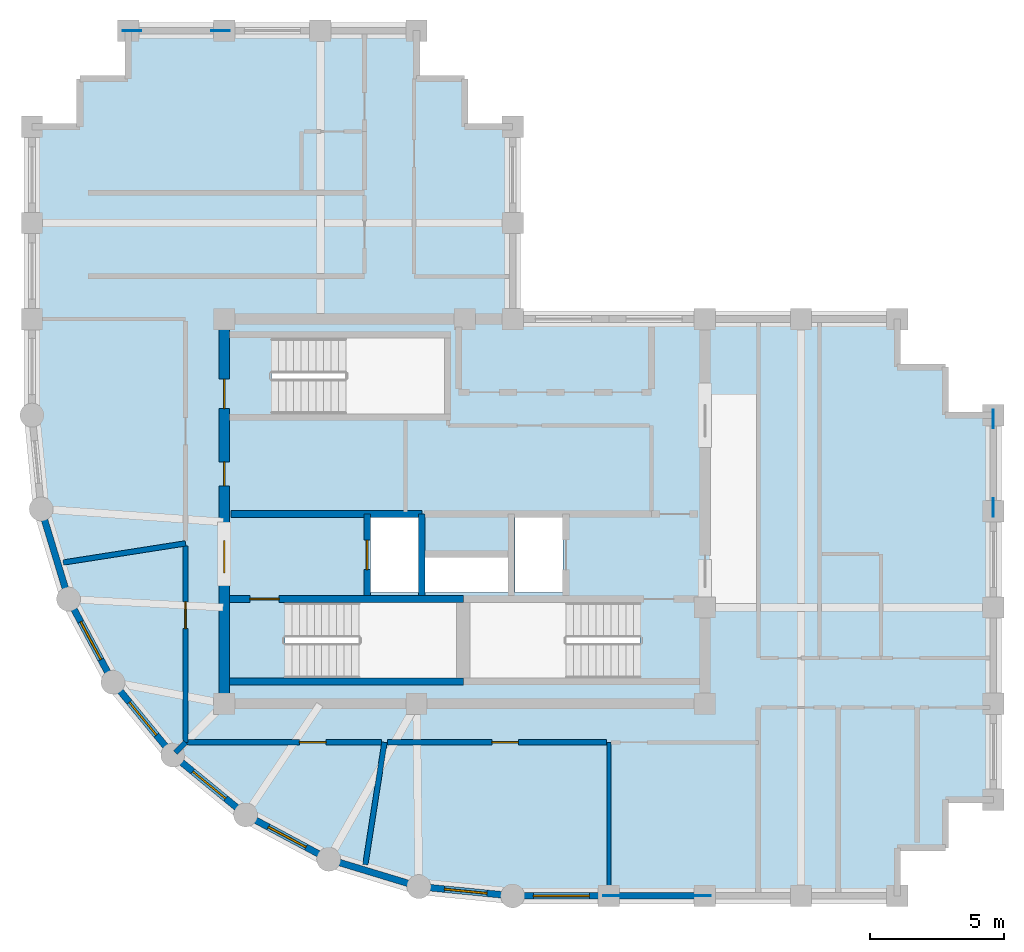
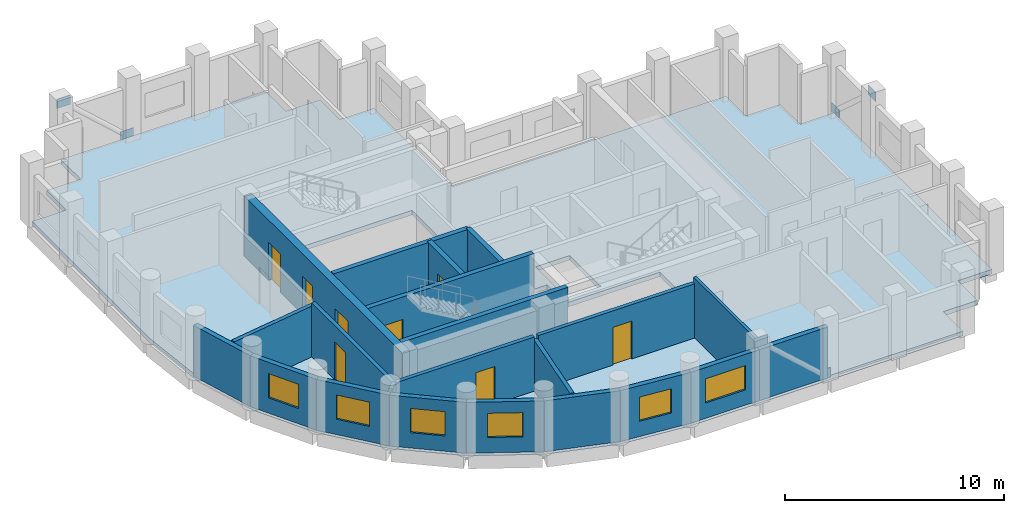
# One storey, part 2 of 6: 22 walls, 8 doors, 6 plates, 6 windows, 1 slab, 14 openings.
"""IFC4 building model written with IfcOpenShell, lengths in metres."""

from ifc_helpers import new_model, si_unit, direction, frame, frame_2d, origin, origin_2d, place, context, subcontext, project, spatial, polyline, rectangle, outline, extrude, material, layer, layer_set, type_object, element, fill, save


model = new_model("IFC4")

# Units and contexts
model_context = context("Model", 3, precision=1e-05, world=origin(), true_north=direction((0.0, 1.0)))
body_context = subcontext(model_context, "Body", "Model", "MODEL_VIEW")
ifc_project = project(units=[si_unit("LENGTHUNIT", "METRE"), si_unit("AREAUNIT", "SQUARE_METRE"), si_unit("VOLUMEUNIT", "CUBIC_METRE"), si_unit("PLANEANGLEUNIT", "RADIAN"), si_unit("MASSUNIT", "GRAM", prefix="KILO")], contexts=[model_context])

# Site, building, storey
site_placement = place(None, origin())
site = spatial("IfcSite", under=ifc_project, at=site_placement, CompositionType="ELEMENT")
building_placement = place(site_placement, origin())
building = spatial("IfcBuilding", under=site, at=building_placement, Name="Solnavia Interchange Tower", CompositionType="ELEMENT")
storey_placement = place(building_placement, frame((0.0, 0.0, 231.800048828125)))
storey = spatial("IfcBuildingStorey", under=building, at=storey_placement, Name="L58", CompositionType="ELEMENT", Elevation=231.800048828125)

# Plates
ifc_material_1 = material(Name="Steel S460", Category="steel")
ifc_layer_1 = layer(ifc_material_1, 0.030029296875)
ifc_layer_set_1 = layer_set([ifc_layer_1], Name="Steel S460")
plate_type = type_object("IfcPlateType", Name="Plate-Gusset-700x520x30", PredefinedType="USERDEFINED", material=ifc_layer_set_1)
for number, where, z_axis, x_axis, name in (
    (1, (32.260009765625, 3.60009765625, -0.080078125), (0.0, 0.0, 1.0), (-1.0, 0.0, 0.0), "PLT-L58-GP01 Perimeter brace gusset plate"),
    (2, (28.93994140625, 3.60009765625, 2.909912109375), (0.0, 0.0, 1.0), (-1.0, 0.0, 0.0), "PLT-L58-GP02 Perimeter brace gusset plate"),
    (3, (43.199951171875, 21.4599609375, -0.080078125), (0.0, 0.0, 1.0), (0.0, -1.0, 0.0), "PLT-L58-GP03 Perimeter brace gusset plate"),
    (4, (43.199951171875, 18.139892578125, 2.909912109375), (0.0, 0.0, 1.0), (0.0, -1.0, 0.0), "PLT-L58-GP04 Perimeter brace gusset plate"),
    (5, (14.260009765625, 36.0, -0.080078125), (0.0, 0.0, 1.0), (-1.0, 0.0, 0.0), "PLT-L58-GP05 Perimeter brace gusset plate"),
    (6, (10.93994140625, 36.0, 2.909912109375), (0.0, 0.0, 1.0), (-1.0, 0.0, 0.0), "PLT-L58-GP06 Perimeter brace gusset plate"),
):
    element("IfcPlate", number, at=place(storey_placement, frame(where, z_axis=z_axis, x_axis=x_axis)), inside=storey, type_object=plate_type, Name=name, ObjectType="GUSSET PLATE", PredefinedType="USERDEFINED", context=body_context, shape_type="SweptSolid", body=[
        extrude(rectangle(XDim=0.699951171875, YDim=0.030029296875, at=origin_2d()), origin(), (0.0, 0.0, 1.0), 0.52001953125),
    ])

# Slab
ifc_material_2 = material(Name="Concrete C40/50", Category="concrete")
ifc_layer_2 = layer(ifc_material_2, 0.25)
ifc_layer_set_2 = layer_set([ifc_layer_2], Name="Concrete C40/50")
slab_type = type_object("IfcSlabType", Name="Slab-Tower-250", PredefinedType="FLOOR", material=ifc_layer_set_2)
slab_placement = place(storey_placement, frame((0.0, 0.0, -0.25)))
element("IfcSlab", 7, at=slab_placement, inside=storey, type_object=slab_type, Name="SLB-L58-01 Structural floor slab", PredefinedType="FLOOR", context=body_context, shape_type="SweptSolid", body=[
    extrude(outline(polyline([(25.199951171875, 3.60009765625), (39.60009765625, 3.60009765625), (39.60009765625, 5.39990234375), (41.39990234375, 5.39990234375), (41.39990234375, 7.199951171875), (43.199951171875, 7.199951171875), (43.199951171875, 21.60009765625), (41.39990234375, 21.60009765625), (41.39990234375, 23.39990234375), (39.60009765625, 23.39990234375), (39.60009765625, 25.199951171875), (25.199951171875, 25.199951171875), (25.199951171875, 32.39990234375), (23.39990234375, 32.39990234375), (23.39990234375, 34.199951171875), (21.60009765625, 34.199951171875), (21.60009765625, 36.0), (10.800048828125, 36.0), (10.800048828125, 34.199951171875), (9.0, 34.199951171875), (9.0, 32.39990234375), (7.199951171875, 32.39990234375), (7.199951171875, 21.60009765625), (7.5458984375, 18.087890625), (8.570068359375, 14.7119140625), (10.23388671875, 11.60009765625), (12.471923828125, 8.8720703125), (15.199951171875, 6.634033203125), (18.31201171875, 4.969970703125), (21.68798828125, 3.946044921875), (25.199951171875, 3.60009765625)]), holes=[polyline([(16.675048828125, 11.75), (23.10009765625, 11.75), (23.10009765625, 14.590087890625), (16.675048828125, 14.590087890625), (16.675048828125, 11.75)]), polyline([(23.60009765625, 11.75), (29.97509765625, 11.75), (29.97509765625, 14.590087890625), (23.60009765625, 14.590087890625), (23.60009765625, 11.75)]), polyline([(16.175048828125, 21.64990234375), (22.64990234375, 21.64990234375), (22.64990234375, 24.489990234375), (16.175048828125, 24.489990234375), (16.175048828125, 21.64990234375)]), polyline([(19.8798828125, 14.9599609375), (21.679931640625, 14.9599609375), (21.679931640625, 17.780029296875), (19.8798828125, 17.780029296875), (19.8798828125, 14.9599609375)]), polyline([(25.280029296875, 14.9599609375), (27.080078125, 14.9599609375), (27.080078125, 17.780029296875), (25.280029296875, 17.780029296875), (25.280029296875, 14.9599609375)]), polyline([(21.919921875, 14.9599609375), (25.02001953125, 14.9599609375), (25.02001953125, 16.280029296875), (21.919921875, 16.280029296875), (21.919921875, 14.9599609375)])]), origin(), (0.0, 0.0, 1.0), 0.25),
])

# Walls
ifc_material_3 = material(Name="Gypsum Acoustic Twin-Stud & Mineral Wool", Category="gypsum")
ifc_layer_3 = layer(ifc_material_3, 0.199951171875)
ifc_layer_set_3 = layer_set([ifc_layer_3], Name="Gypsum Acoustic Twin-Stud & Mineral Wool")
wall_type_1 = type_object("IfcWallType", Name="Wall-ApartmentParty-200", PredefinedType="PARTITIONING", material=ifc_layer_set_3)
wall_1_placement = place(storey_placement, frame((12.949951171875, 16.800048828125, 0.0), z_axis=(0.0, 0.0, 1.0), x_axis=(-0.9879733582, -0.154624200844, 0.0)))
element("IfcWall", 8, at=wall_1_placement, inside=storey, type_object=wall_type_1, Name="PTW-L58-09 Interior partition wall", PredefinedType="PARTITIONING", context=body_context, shape_type="SweptSolid", body=[
    extrude(rectangle(XDim=4.63720703125, YDim=0.199951171875, at=frame_2d((2.318603515625, 0.0))), origin(), (0.0, 0.0, 1.0), 2.829833984375),
])
wall_2_placement = place(storey_placement, frame((12.949951171875, 9.35009765625, 0.0), z_axis=(0.0, 0.0, 1.0), x_axis=(-0.706883613527, -0.707329878435, 0.0)))
element("IfcWall", 9, at=wall_2_placement, inside=storey, type_object=wall_type_1, Name="PTW-L58-10 Interior partition wall", PredefinedType="PARTITIONING", context=body_context, shape_type="SweptSolid", body=[
    extrude(rectangle(XDim=0.547119140625, YDim=0.199951171875, at=frame_2d((0.2734375, 0.0))), origin(), (0.0, 0.0, 1.0), 3.02001953125),
])
wall_3_placement = place(storey_placement, frame((20.39990234375, 9.35009765625, 0.0), z_axis=(0.0, 0.0, 1.0), x_axis=(-0.154564772307, -0.987982657318, 0.0)))
element("IfcWall", 10, at=wall_3_placement, inside=storey, type_object=wall_type_1, Name="PTW-L58-11 Interior partition wall", PredefinedType="PARTITIONING", context=body_context, shape_type="SweptSolid", body=[
    extrude(rectangle(XDim=4.637451171875, YDim=0.199951171875, at=frame_2d((2.31884765625, 0.0))), origin(), (0.0, 0.0, 1.0), 2.829833984375),
])

# Wall, opening, door
wall_4_placement = place(storey_placement, frame((12.949951171875, 9.35009765625, 0.0), z_axis=(0.0, 0.0, 1.0), x_axis=(0.0, 1.0, 0.0)))
wall_4 = element("IfcWall", 11, at=wall_4_placement, inside=storey, type_object=wall_type_1, Name="PTW-L58-13 Interior partition wall", PredefinedType="PARTITIONING", context=body_context, shape_type="SweptSolid", body=[
    extrude(rectangle(XDim=7.345947265625, YDim=0.199951171875, at=frame_2d((3.6728515625, 0.0))), origin(), (0.0, 0.0, 1.0), 3.02001953125),
])
opening_1_placement = place(wall_4_placement, frame((4.260986328125, 0.0, 0.0)))
opening_1 = element("IfcOpeningElement", 12, at=opening_1_placement, cuts=wall_4, Name="Opening DR-07", PredefinedType="OPENING", context=body_context, shape_type="SweptSolid", body=[
    extrude(rectangle(XDim=1.0, YDim=2.10009765625, at=frame_2d((0.5, 1.050048828125))), frame((0.0, 0.10986328125, 0.0), z_axis=(0.0, -1.0, 0.0), x_axis=(1.0, 0.0, 0.0)), (0.0, 0.0, 1.0), 0.219970703125),
])
ifc_material_4 = material(Name="Timber & Acoustic Glazed Office Door", Category="wood")
door_type_1 = type_object("IfcDoorType", Name="Door-Office-1000x2100", OperationType="SINGLE_SWING_RIGHT", PredefinedType="DOOR", material=ifc_material_4)
door_1_placement = place(opening_1_placement, origin())
door_1 = element("IfcDoor", 13, at=door_1_placement, inside=storey, type_object=door_type_1, Name="DR-L58-04 Interior room door", OperationType="SINGLE_SWING_RIGHT", OverallHeight=2.10009765625, OverallWidth=1.0, PredefinedType="DOOR", context=body_context, shape_type="SweptSolid", body=[
    extrude(rectangle(XDim=1.0, YDim=2.10009765625, at=frame_2d((0.5, 1.050048828125))), frame((0.0, 0.02490234375, 0.0), z_axis=(0.0, -1.0, 0.0), x_axis=(1.0, 0.0, 0.0)), (0.0, 0.0, 1.0), 0.050048828125),
])
fill(opening_1, door_1)

wall_5_placement = place(storey_placement, frame((12.949951171875, 9.35009765625, 0.0), z_axis=(0.0, 0.0, 1.0), x_axis=(1.0, 0.0, 0.0)))
wall_5 = element("IfcWall", 14, at=wall_5_placement, inside=storey, type_object=wall_type_1, Name="PTW-L58-14 Interior partition wall", PredefinedType="PARTITIONING", context=body_context, shape_type="SweptSolid", body=[
    extrude(rectangle(XDim=7.345947265625, YDim=0.199951171875, at=frame_2d((3.6728515625, 0.0))), origin(), (0.0, 0.0, 1.0), 3.02001953125),
])
opening_2_placement = place(wall_5_placement, frame((4.260986328125, 0.0, 0.0)))
opening_2 = element("IfcOpeningElement", 15, at=opening_2_placement, cuts=wall_5, Name="Opening DR-07", PredefinedType="OPENING", context=body_context, shape_type="SweptSolid", body=[
    extrude(rectangle(XDim=1.0, YDim=2.10009765625, at=frame_2d((0.5, 1.050048828125))), frame((0.0, 0.10986328125, 0.0), z_axis=(0.0, -1.0, 0.0), x_axis=(1.0, 0.0, 0.0)), (0.0, 0.0, 1.0), 0.219970703125),
])
door_2_placement = place(opening_2_placement, origin())
door_2 = element("IfcDoor", 16, at=door_2_placement, inside=storey, type_object=door_type_1, Name="DR-L58-05 Interior room door", OperationType="SINGLE_SWING_LEFT", OverallHeight=2.10009765625, OverallWidth=1.0, PredefinedType="DOOR", context=body_context, shape_type="SweptSolid", body=[
    extrude(rectangle(XDim=1.0, YDim=2.10009765625, at=frame_2d((0.5, 1.050048828125))), frame((0.0, 0.02490234375, 0.0), z_axis=(0.0, -1.0, 0.0), x_axis=(1.0, 0.0, 0.0)), (0.0, 0.0, 1.0), 0.050048828125),
])
fill(opening_2, door_2)

wall_6_placement = place(storey_placement, frame((20.50390625, 9.35009765625, 0.0), z_axis=(0.0, 0.0, 1.0), x_axis=(1.0, 0.0, 0.0)))
wall_6 = element("IfcWall", 17, at=wall_6_placement, inside=storey, type_object=wall_type_1, Name="PTW-L58-15 Interior partition wall", PredefinedType="PARTITIONING", context=body_context, shape_type="SweptSolid", body=[
    extrude(rectangle(XDim=8.217041015625, YDim=0.199951171875, at=frame_2d((4.1083984375, 0.0))), origin(), (0.0, 0.0, 1.0), 3.02001953125),
])
opening_3_placement = place(wall_6_placement, frame((3.9140625, 0.0, 0.0)))
opening_3 = element("IfcOpeningElement", 18, at=opening_3_placement, cuts=wall_6, Name="Opening DR-07", PredefinedType="OPENING", context=body_context, shape_type="SweptSolid", body=[
    extrude(rectangle(XDim=1.0, YDim=2.10009765625, at=frame_2d((0.5, 1.050048828125))), frame((0.0, 0.10986328125, 0.0), z_axis=(0.0, -1.0, 0.0), x_axis=(1.0, 0.0, 0.0)), (0.0, 0.0, 1.0), 0.219970703125),
])
door_3_placement = place(opening_3_placement, origin())
door_3 = element("IfcDoor", 19, at=door_3_placement, inside=storey, type_object=door_type_1, Name="DR-L58-06 Interior room door", OperationType="SINGLE_SWING_RIGHT", OverallHeight=2.10009765625, OverallWidth=1.0, PredefinedType="DOOR", context=body_context, shape_type="SweptSolid", body=[
    extrude(rectangle(XDim=1.0, YDim=2.10009765625, at=frame_2d((0.5, 1.050048828125))), frame((0.0, 0.02490234375, 0.0), z_axis=(0.0, -1.0, 0.0), x_axis=(1.0, 0.0, 0.0)), (0.0, 0.0, 1.0), 0.050048828125),
])
fill(opening_3, door_3)

# Wall, opening, window
ifc_layer_4 = layer(ifc_material_2, 0.25)
ifc_layer_set_4 = layer_set([ifc_layer_4], Name="Concrete C40/50")
wall_type_2 = type_object("IfcWallType", Name="Wall-ExtSpandrel-250", PredefinedType="STANDARD", material=ifc_layer_set_4)
wall_7_placement = place(storey_placement, frame((28.800048828125, 3.60009765625, 0.0), z_axis=(0.0, 0.0, 1.0), x_axis=(-1.0, 0.0, 0.0)))
wall_7 = element("IfcWall", 20, at=wall_7_placement, inside=storey, type_object=wall_type_2, Name="EXW-L58-01 Exterior precast spandrel wall", PredefinedType="STANDARD", context=body_context, shape_type="SweptSolid", body=[
    extrude(rectangle(XDim=3.60009765625, YDim=0.25, at=frame_2d((1.800048828125, 0.0))), origin(), (0.0, 0.0, 1.0), 2.829833984375),
])
opening_4_placement = place(wall_7_placement, frame((0.72509765625, 0.0, 0.85009765625)))
opening_4 = element("IfcOpeningElement", 21, at=opening_4_placement, cuts=wall_7, Name="Opening WIN-01", PredefinedType="OPENING", context=body_context, shape_type="SweptSolid", body=[
    extrude(rectangle(XDim=2.10009765625, YDim=1.35009765625, at=frame_2d((1.050048828125, 0.675048828125))), frame((0.0, 0.135009765625, 0.0), z_axis=(0.0, -1.0, 0.0), x_axis=(1.0, 0.0, 0.0)), (0.0, 0.0, 1.0), 0.27001953125),
])
ifc_material_5 = material(Name="Thermal-Break Aluminium & Low-E Glass", Category="aluminium")
window_type_1 = type_object("IfcWindowType", Name="Window-Ribbon-2100x1350", PartitioningType="SINGLE_PANEL", PredefinedType="WINDOW", material=ifc_material_5)
window_1_placement = place(opening_4_placement, origin())
window_1 = element("IfcWindow", 22, at=window_1_placement, inside=storey, type_object=window_type_1, Name="WIN-L58-01 Facade ribbon window", OverallHeight=1.35009765625, OverallWidth=2.10009765625, PartitioningType="SINGLE_PANEL", PredefinedType="WINDOW", context=body_context, shape_type="SweptSolid", body=[
    extrude(rectangle(XDim=2.10009765625, YDim=1.35009765625, at=frame_2d((1.050048828125, 0.675048828125))), frame((0.0, 0.030029296875, 0.0), z_axis=(0.0, -1.0, 0.0), x_axis=(1.0, 0.0, 0.0)), (0.0, 0.0, 1.0), 0.06005859375),
])
fill(opening_4, window_1)

# Walls
wall_8_placement = place(storey_placement, frame((32.39990234375, 3.60009765625, 0.0), z_axis=(0.0, 0.0, 1.0), x_axis=(-1.0, 0.0, 0.0)))
element("IfcWall", 23, at=wall_8_placement, inside=storey, type_object=wall_type_2, Name="EXW-L58-02 Exterior precast spandrel wall", PredefinedType="STANDARD", context=body_context, shape_type="SweptSolid", body=[
    extrude(rectangle(XDim=3.599853515625, YDim=0.25, at=frame_2d((1.7998046875, 0.0))), origin(), (0.0, 0.0, 1.0), 2.829833984375),
])
wall_9_placement = place(storey_placement, frame((8.570068359375, 14.7119140625, 0.0), z_axis=(0.0, 0.0, 1.0), x_axis=(-0.290305086481, 0.956934144423, 0.0)))
element("IfcWall", 24, at=wall_9_placement, inside=storey, type_object=wall_type_2, Name="EXW-L58-38 Exterior precast spandrel wall", PredefinedType="STANDARD", context=body_context, shape_type="SweptSolid", body=[
    extrude(rectangle(XDim=3.52783203125, YDim=0.25, at=frame_2d((1.763916015625, 0.0))), origin(), (0.0, 0.0, 1.0), 2.829833984375),
])

# Wall, opening, window
wall_10_placement = place(storey_placement, frame((10.23388671875, 11.60009765625, 0.0), z_axis=(0.0, 0.0, 1.0), x_axis=(-0.47151087309, 0.881860247748, 0.0)))
wall_10 = element("IfcWall", 25, at=wall_10_placement, inside=storey, type_object=wall_type_2, Name="EXW-L58-39 Exterior precast spandrel wall", PredefinedType="STANDARD", context=body_context, shape_type="SweptSolid", body=[
    extrude(rectangle(XDim=3.52880859375, YDim=0.25, at=frame_2d((1.764404296875, 0.0))), origin(), (0.0, 0.0, 1.0), 2.829833984375),
])
opening_5_placement = place(wall_10_placement, frame((0.964111328125, 0.0, 0.85009765625)))
opening_5 = element("IfcOpeningElement", 26, at=opening_5_placement, cuts=wall_10, Name="Opening WIN-04", PredefinedType="OPENING", context=body_context, shape_type="SweptSolid", body=[
    extrude(rectangle(XDim=1.60009765625, YDim=1.35009765625, at=frame_2d((0.800048828125, 0.675048828125))), frame((0.0, 0.135009765625, 0.0), z_axis=(0.0, -1.0, 0.0), x_axis=(1.0, 0.0, 0.0)), (0.0, 0.0, 1.0), 0.27001953125),
])
window_type_2 = type_object("IfcWindowType", Name="Window-Drum-1600x1350", PartitioningType="SINGLE_PANEL", PredefinedType="WINDOW", material=ifc_material_5)
window_2_placement = place(opening_5_placement, origin())
window_2 = element("IfcWindow", 27, at=window_2_placement, inside=storey, type_object=window_type_2, Name="WIN-L58-39 Facade ribbon window", OverallHeight=1.35009765625, OverallWidth=1.60009765625, PartitioningType="SINGLE_PANEL", PredefinedType="WINDOW", context=body_context, shape_type="SweptSolid", body=[
    extrude(rectangle(XDim=1.60009765625, YDim=1.35009765625, at=frame_2d((0.800048828125, 0.675048828125))), frame((0.0, 0.030029296875, 0.0), z_axis=(0.0, -1.0, 0.0), x_axis=(1.0, 0.0, 0.0)), (0.0, 0.0, 1.0), 0.06005859375),
])
fill(opening_5, window_2)

wall_11_placement = place(storey_placement, frame((12.471923828125, 8.8720703125, 0.0), z_axis=(0.0, 0.0, 1.0), x_axis=(-0.634258295121, 0.773121216285, 0.0)))
wall_11 = element("IfcWall", 28, at=wall_11_placement, inside=storey, type_object=wall_type_2, Name="EXW-L58-40 Exterior precast spandrel wall", PredefinedType="STANDARD", context=body_context, shape_type="SweptSolid", body=[
    extrude(rectangle(XDim=3.528564453125, YDim=0.25, at=frame_2d((1.76416015625, 0.0))), origin(), (0.0, 0.0, 1.0), 2.829833984375),
])
opening_6_placement = place(wall_11_placement, frame((0.964111328125, 0.0, 0.85009765625)))
opening_6 = element("IfcOpeningElement", 29, at=opening_6_placement, cuts=wall_11, Name="Opening WIN-04", PredefinedType="OPENING", context=body_context, shape_type="SweptSolid", body=[
    extrude(rectangle(XDim=1.60009765625, YDim=1.35009765625, at=frame_2d((0.800048828125, 0.675048828125))), frame((0.0, 0.135009765625, 0.0), z_axis=(0.0, -1.0, 0.0), x_axis=(1.0, 0.0, 0.0)), (0.0, 0.0, 1.0), 0.27001953125),
])
window_3_placement = place(opening_6_placement, origin())
window_3 = element("IfcWindow", 30, at=window_3_placement, inside=storey, type_object=window_type_2, Name="WIN-L58-40 Facade ribbon window", OverallHeight=1.35009765625, OverallWidth=1.60009765625, PartitioningType="SINGLE_PANEL", PredefinedType="WINDOW", context=body_context, shape_type="SweptSolid", body=[
    extrude(rectangle(XDim=1.60009765625, YDim=1.35009765625, at=frame_2d((0.800048828125, 0.675048828125))), frame((0.0, 0.030029296875, 0.0), z_axis=(0.0, -1.0, 0.0), x_axis=(1.0, 0.0, 0.0)), (0.0, 0.0, 1.0), 0.06005859375),
])
fill(opening_6, window_3)

wall_12_placement = place(storey_placement, frame((15.199951171875, 6.634033203125, 0.0), z_axis=(0.0, 0.0, 1.0), x_axis=(-0.773121216285, 0.634258295121, 0.0)))
wall_12 = element("IfcWall", 31, at=wall_12_placement, inside=storey, type_object=wall_type_2, Name="EXW-L58-41 Exterior precast spandrel wall", PredefinedType="STANDARD", context=body_context, shape_type="SweptSolid", body=[
    extrude(rectangle(XDim=3.528564453125, YDim=0.25, at=frame_2d((1.76416015625, 0.0))), origin(), (0.0, 0.0, 1.0), 2.829833984375),
])
opening_7_placement = place(wall_12_placement, frame((0.964111328125, 0.0, 0.85009765625)))
opening_7 = element("IfcOpeningElement", 32, at=opening_7_placement, cuts=wall_12, Name="Opening WIN-04", PredefinedType="OPENING", context=body_context, shape_type="SweptSolid", body=[
    extrude(rectangle(XDim=1.60009765625, YDim=1.35009765625, at=frame_2d((0.800048828125, 0.675048828125))), frame((0.0, 0.135009765625, 0.0), z_axis=(0.0, -1.0, 0.0), x_axis=(1.0, 0.0, 0.0)), (0.0, 0.0, 1.0), 0.27001953125),
])
window_4_placement = place(opening_7_placement, origin())
window_4 = element("IfcWindow", 33, at=window_4_placement, inside=storey, type_object=window_type_2, Name="WIN-L58-41 Facade ribbon window", OverallHeight=1.35009765625, OverallWidth=1.60009765625, PartitioningType="SINGLE_PANEL", PredefinedType="WINDOW", context=body_context, shape_type="SweptSolid", body=[
    extrude(rectangle(XDim=1.60009765625, YDim=1.35009765625, at=frame_2d((0.800048828125, 0.675048828125))), frame((0.0, 0.030029296875, 0.0), z_axis=(0.0, -1.0, 0.0), x_axis=(1.0, 0.0, 0.0)), (0.0, 0.0, 1.0), 0.06005859375),
])
fill(opening_7, window_4)

wall_13_placement = place(storey_placement, frame((18.31201171875, 4.969970703125, 0.0), z_axis=(0.0, 0.0, 1.0), x_axis=(-0.881846862014, 0.471535907389, 0.0)))
wall_13 = element("IfcWall", 34, at=wall_13_placement, inside=storey, type_object=wall_type_2, Name="EXW-L58-42 Exterior precast spandrel wall", PredefinedType="STANDARD", context=body_context, shape_type="SweptSolid", body=[
    extrude(rectangle(XDim=3.529052734375, YDim=0.25, at=frame_2d((1.7646484375, 0.0))), origin(), (0.0, 0.0, 1.0), 2.829833984375),
])
opening_8_placement = place(wall_13_placement, frame((0.964111328125, 0.0, 0.85009765625)))
opening_8 = element("IfcOpeningElement", 35, at=opening_8_placement, cuts=wall_13, Name="Opening WIN-04", PredefinedType="OPENING", context=body_context, shape_type="SweptSolid", body=[
    extrude(rectangle(XDim=1.60009765625, YDim=1.35009765625, at=frame_2d((0.800048828125, 0.675048828125))), frame((0.0, 0.135009765625, 0.0), z_axis=(0.0, -1.0, 0.0), x_axis=(1.0, 0.0, 0.0)), (0.0, 0.0, 1.0), 0.27001953125),
])
window_5_placement = place(opening_8_placement, origin())
window_5 = element("IfcWindow", 36, at=window_5_placement, inside=storey, type_object=window_type_2, Name="WIN-L58-42 Facade ribbon window", OverallHeight=1.35009765625, OverallWidth=1.60009765625, PartitioningType="SINGLE_PANEL", PredefinedType="WINDOW", context=body_context, shape_type="SweptSolid", body=[
    extrude(rectangle(XDim=1.60009765625, YDim=1.35009765625, at=frame_2d((0.800048828125, 0.675048828125))), frame((0.0, 0.030029296875, 0.0), z_axis=(0.0, -1.0, 0.0), x_axis=(1.0, 0.0, 0.0)), (0.0, 0.0, 1.0), 0.06005859375),
])
fill(opening_8, window_5)

# Wall
wall_14_placement = place(storey_placement, frame((21.68798828125, 3.946044921875, 0.0), z_axis=(0.0, 0.0, 1.0), x_axis=(-0.956953367403, 0.290241714123, 0.0)))
element("IfcWall", 37, at=wall_14_placement, inside=storey, type_object=wall_type_2, Name="EXW-L58-43 Exterior precast spandrel wall", PredefinedType="STANDARD", context=body_context, shape_type="SweptSolid", body=[
    extrude(rectangle(XDim=3.52783203125, YDim=0.25, at=frame_2d((1.763916015625, 0.0))), origin(), (0.0, 0.0, 1.0), 2.829833984375),
])

# Wall, opening, window
wall_15_placement = place(storey_placement, frame((25.199951171875, 3.60009765625, 0.0), z_axis=(0.0, 0.0, 1.0), x_axis=(-0.995183369056, 0.098030923459, 0.0)))
wall_15 = element("IfcWall", 38, at=wall_15_placement, inside=storey, type_object=wall_type_2, Name="EXW-L58-44 Exterior precast spandrel wall", PredefinedType="STANDARD", context=body_context, shape_type="SweptSolid", body=[
    extrude(rectangle(XDim=3.529052734375, YDim=0.25, at=frame_2d((1.7646484375, 0.0))), origin(), (0.0, 0.0, 1.0), 2.829833984375),
])
opening_9_placement = place(wall_15_placement, frame((0.965087890625, 0.0, 0.85009765625)))
opening_9 = element("IfcOpeningElement", 39, at=opening_9_placement, cuts=wall_15, Name="Opening WIN-04", PredefinedType="OPENING", context=body_context, shape_type="SweptSolid", body=[
    extrude(rectangle(XDim=1.60009765625, YDim=1.35009765625, at=frame_2d((0.800048828125, 0.675048828125))), frame((0.0, 0.135009765625, 0.0), z_axis=(0.0, -1.0, 0.0), x_axis=(1.0, 0.0, 0.0)), (0.0, 0.0, 1.0), 0.27001953125),
])
window_6_placement = place(opening_9_placement, origin())
window_6 = element("IfcWindow", 40, at=window_6_placement, inside=storey, type_object=window_type_2, Name="WIN-L58-44 Facade ribbon window", OverallHeight=1.35009765625, OverallWidth=1.60009765625, PartitioningType="SINGLE_PANEL", PredefinedType="WINDOW", context=body_context, shape_type="SweptSolid", body=[
    extrude(rectangle(XDim=1.60009765625, YDim=1.35009765625, at=frame_2d((0.800048828125, 0.675048828125))), frame((0.0, 0.030029296875, 0.0), z_axis=(0.0, -1.0, 0.0), x_axis=(1.0, 0.0, 0.0)), (0.0, 0.0, 1.0), 0.06005859375),
])
fill(opening_9, window_6)

# Walls
ifc_material_6 = material(Name="Gypsum Plasterboard & Steel Stud", Category="steel")
ifc_layer_5 = layer(ifc_material_6, 0.14990234375)
ifc_layer_set_5 = layer_set([ifc_layer_5], Name="Gypsum Plasterboard & Steel Stud")
wall_type_3 = type_object("IfcWallType", Name="Wall-Partition-150", PredefinedType="PARTITIONING", material=ifc_layer_set_5)
wall_16_placement = place(storey_placement, frame((28.800048828125, 9.35009765625, 0.0), z_axis=(0.0, 0.0, 1.0), x_axis=(0.0, -1.0, 0.0)))
element("IfcWall", 41, at=wall_16_placement, inside=storey, type_object=wall_type_3, Name="PTW-L58-08 Interior partition wall", PredefinedType="PARTITIONING", context=body_context, shape_type="SweptSolid", body=[
    extrude(rectangle(XDim=5.62109375, YDim=0.14990234375, at=frame_2d((2.810546875, 0.0))), origin(), (0.0, 0.0, 1.0), 3.3349609375),
])
ifc_layer_6 = layer(ifc_material_2, 0.25)
ifc_layer_set_6 = layer_set([ifc_layer_6], Name="Concrete C40/50")
wall_type_4 = type_object("IfcWallType", Name="Wall-ShaftCore-250", PredefinedType="SHEAR", material=ifc_layer_set_6)
wall_17_placement = place(storey_placement, frame((14.60009765625, 11.625, 0.0), z_axis=(0.0, 0.0, 1.0), x_axis=(1.0, 0.0, 0.0)))
element("IfcWall", 42, at=wall_17_placement, inside=storey, type_object=wall_type_4, Name="SHW-L58-ST1S Core shear wall", PredefinedType="SHEAR", context=body_context, shape_type="SweptSolid", body=[
    extrude(rectangle(XDim=8.75, YDim=0.25, at=frame_2d((4.375, 0.0))), origin(), (0.0, 0.0, 1.0), 3.349853515625),
])

# Wall, opening, door
wall_18_placement = place(storey_placement, frame((14.60009765625, 14.715087890625, 0.0), z_axis=(0.0, 0.0, 1.0), x_axis=(1.0, 0.0, 0.0)))
wall_18 = element("IfcWall", 43, at=wall_18_placement, inside=storey, type_object=wall_type_4, Name="SHW-L58-ST1N Core shear wall", PredefinedType="SHEAR", context=body_context, shape_type="SweptSolid", body=[
    extrude(rectangle(XDim=8.75, YDim=0.25, at=frame_2d((4.375, 0.0))), origin(), (0.0, 0.0, 1.0), 3.349853515625),
])
opening_10_placement = place(wall_18_placement, frame((0.7548828125, 0.0, 0.0)))
opening_10 = element("IfcOpeningElement", 44, at=opening_10_placement, cuts=wall_18, Name="Opening DR-01", PredefinedType="OPENING", context=body_context, shape_type="SweptSolid", body=[
    extrude(rectangle(XDim=1.10009765625, YDim=2.10009765625, at=frame_2d((0.550048828125, 1.050048828125))), frame((0.0, 0.135009765625, 0.0), z_axis=(0.0, -1.0, 0.0), x_axis=(1.0, 0.0, 0.0)), (0.0, 0.0, 1.0), 0.27001953125),
])
ifc_material_7 = material(Name="Steel Fire-Rated Leaf & Frame", Category="steel")
door_type_2 = type_object("IfcDoorType", Name="Door-StairFire-1100x2100", OperationType="SINGLE_SWING_LEFT", PredefinedType="DOOR", material=ifc_material_7)
door_4_placement = place(opening_10_placement, origin())
door_4 = element("IfcDoor", 45, at=door_4_placement, inside=storey, type_object=door_type_2, Name="DR-L58-ST1 Core fire door", OperationType="SINGLE_SWING_LEFT", OverallHeight=2.10009765625, OverallWidth=1.10009765625, PredefinedType="DOOR", context=body_context, shape_type="SweptSolid", body=[
    extrude(rectangle(XDim=1.10009765625, YDim=2.10009765625, at=frame_2d((0.550048828125, 1.050048828125))), frame((0.0, 0.02490234375, 0.0), z_axis=(0.0, -1.0, 0.0), x_axis=(1.0, 0.0, 0.0)), (0.0, 0.0, 1.0), 0.050048828125),
])
fill(opening_10, door_4)

# Wall
ifc_layer_7 = layer(ifc_material_2, 0.25)
ifc_layer_set_7 = layer_set([ifc_layer_7], Name="Concrete C40/50")
wall_type_5 = type_object("IfcWallType", Name="Wall-ShaftPart-250", PredefinedType="PARTITIONING", material=ifc_layer_set_7)
wall_19_placement = place(storey_placement, frame((14.64990234375, 17.89990234375, 0.0), z_axis=(0.0, 0.0, 1.0), x_axis=(1.0, 0.0, 0.0)))
element("IfcWall", 46, at=wall_19_placement, inside=storey, type_object=wall_type_5, Name="SHW-L58-FFLW-N Core shaft wall", PredefinedType="PARTITIONING", context=body_context, shape_type="SweptSolid", body=[
    extrude(rectangle(XDim=7.150146484375, YDim=0.25, at=frame_2d((3.5751953125, 0.0))), origin(), (0.0, 0.0, 1.0), 3.3349609375),
])

# Wall, opening, door
wall_20_placement = place(storey_placement, frame((19.75, 14.840087890625, 0.0), z_axis=(0.0, 0.0, 1.0), x_axis=(0.0, 1.0, 0.0)))
wall_20 = element("IfcWall", 47, at=wall_20_placement, inside=storey, type_object=wall_type_5, Name="SHW-L58-FFL1-W Core shaft wall", PredefinedType="PARTITIONING", context=body_context, shape_type="SweptSolid", body=[
    extrude(rectangle(XDim=3.059814453125, YDim=0.25, at=frame_2d((1.52978515625, 0.0))), origin(), (0.0, 0.0, 1.0), 3.3349609375),
])
opening_11_placement = place(wall_20_placement, frame((0.97998046875, 0.0, 0.0)))
opening_11 = element("IfcOpeningElement", 48, at=opening_11_placement, cuts=wall_20, Name="Opening LD-01", PredefinedType="OPENING", context=body_context, shape_type="SweptSolid", body=[
    extrude(rectangle(XDim=1.10009765625, YDim=2.10009765625, at=frame_2d((0.550048828125, 1.050048828125))), frame((0.0, 0.135009765625, 0.0), z_axis=(0.0, -1.0, 0.0), x_axis=(1.0, 0.0, 0.0)), (0.0, 0.0, 1.0), 0.27001953125),
])
ifc_material_8 = material(Name="Brushed Stainless Steel Sliding Door", Category="steel")
door_type_3 = type_object("IfcDoorType", Name="Door-LiftLanding-1100x2100", OperationType="SLIDING_TO_LEFT", PredefinedType="DOOR", material=ifc_material_8)
door_5_placement = place(opening_11_placement, origin())
door_5 = element("IfcDoor", 49, at=door_5_placement, inside=storey, type_object=door_type_3, Name="LD-L58-FFL1 Lift landing sliding door", OperationType="SLIDING_TO_LEFT", OverallHeight=2.10009765625, OverallWidth=1.10009765625, PredefinedType="DOOR", context=body_context, shape_type="SweptSolid", body=[
    extrude(rectangle(XDim=1.10009765625, YDim=2.10009765625, at=frame_2d((0.550048828125, 1.050048828125))), frame((0.0, 0.02490234375, 0.0), z_axis=(0.0, -1.0, 0.0), x_axis=(1.0, 0.0, 0.0)), (0.0, 0.0, 1.0), 0.050048828125),
])
fill(opening_11, door_5)

# Wall
wall_21_placement = place(storey_placement, frame((21.800048828125, 14.840087890625, 0.0), z_axis=(0.0, 0.0, 1.0), x_axis=(0.0, 1.0, 0.0)))
element("IfcWall", 50, at=wall_21_placement, inside=storey, type_object=wall_type_5, Name="SHW-L58-FFL1-E Core shaft wall", PredefinedType="PARTITIONING", context=body_context, shape_type="SweptSolid", body=[
    extrude(rectangle(XDim=3.059814453125, YDim=0.25, at=frame_2d((1.52978515625, 0.0))), origin(), (0.0, 0.0, 1.0), 3.3349609375),
])

# Wall, openings, doors
ifc_material_9 = material(Name="Concrete C50/60", Category="concrete")
ifc_layer_8 = layer(ifc_material_9, 0.39990234375)
ifc_layer_set_8 = layer_set([ifc_layer_8], Name="Concrete C50/60")
wall_type_6 = type_object("IfcWallType", Name="Wall-ShearCore-400", PredefinedType="SHEAR", material=ifc_layer_set_8)
wall_22_placement = place(storey_placement, frame((14.39990234375, 10.800048828125, 0.0), z_axis=(0.0, 0.0, 1.0), x_axis=(0.0, 1.0, 0.0)))
wall_22 = element("IfcWall", 51, at=wall_22_placement, inside=storey, type_object=wall_type_6, Name="CRW-L58-W Core shear wall", PredefinedType="SHEAR", context=body_context, shape_type="SweptSolid", body=[
    extrude(rectangle(XDim=14.39990234375, YDim=0.39990234375, at=frame_2d((7.199951171875, 0.0))), origin(), (0.0, 0.0, 1.0), 3.349853515625),
])
opening_12_placement = place(wall_22_placement, frame((11.050048828125, 0.0, 0.0)))
opening_12 = element("IfcOpeningElement", 52, at=opening_12_placement, cuts=wall_22, Name="Opening DR-01", PredefinedType="OPENING", context=body_context, shape_type="SweptSolid", body=[
    extrude(rectangle(XDim=1.10009765625, YDim=2.10009765625, at=frame_2d((0.550048828125, 1.050048828125))), frame((0.0, 0.2099609375, 0.0), z_axis=(0.0, -1.0, 0.0), x_axis=(1.0, 0.0, 0.0)), (0.0, 0.0, 1.0), 0.419921875),
])
opening_13_placement = place(wall_22_placement, frame((4.89990234375, 0.0, 0.0)))
opening_13 = element("IfcOpeningElement", 53, at=opening_13_placement, cuts=wall_22, Name="Opening DR-02", PredefinedType="OPENING", context=body_context, shape_type="SweptSolid", body=[
    extrude(rectangle(XDim=1.199951171875, YDim=2.10009765625, at=frame_2d((0.60009765625, 1.050048828125))), frame((0.0, 0.2099609375, 0.0), z_axis=(0.0, -1.0, 0.0), x_axis=(1.0, 0.0, 0.0)), (0.0, 0.0, 1.0), 0.419921875),
])
opening_14_placement = place(wall_22_placement, frame((8.14990234375, 0.0, 0.0)))
opening_14 = element("IfcOpeningElement", 54, at=opening_14_placement, cuts=wall_22, Name="Opening DR-09", PredefinedType="OPENING", context=body_context, shape_type="SweptSolid", body=[
    extrude(rectangle(XDim=0.89990234375, YDim=2.10009765625, at=frame_2d((0.449951171875, 1.050048828125))), frame((0.0, 0.2099609375, 0.0), z_axis=(0.0, -1.0, 0.0), x_axis=(1.0, 0.0, 0.0)), (0.0, 0.0, 1.0), 0.419921875),
])
ifc_material_10 = material(Name="Engineered Oak Veneer Door", Category="wood")
door_type_4 = type_object("IfcDoorType", Name="Door-Internal-900x2100", OperationType="SINGLE_SWING_LEFT", PredefinedType="DOOR", material=ifc_material_10)
door_6_placement = place(opening_14_placement, origin())
door_6 = element("IfcDoor", 55, at=door_6_placement, inside=storey, type_object=door_type_4, Name="DR-L58-CS1 Core fire door", OperationType="SINGLE_SWING_RIGHT", OverallHeight=2.10009765625, OverallWidth=0.89990234375, PredefinedType="DOOR", context=body_context, shape_type="SweptSolid", body=[
    extrude(rectangle(XDim=0.89990234375, YDim=2.10009765625, at=frame_2d((0.449951171875, 1.050048828125))), frame((0.0, 0.02490234375, 0.0), z_axis=(0.0, -1.0, 0.0), x_axis=(1.0, 0.0, 0.0)), (0.0, 0.0, 1.0), 0.050048828125),
])
fill(opening_14, door_6)
ifc_material_11 = material(Name="Steel Fire-Rated Vision-Panel Door", Category="steel")
door_type_5 = type_object("IfcDoorType", Name="Door-LobbyFire-1200x2100", OperationType="SINGLE_SWING_RIGHT", PredefinedType="DOOR", material=ifc_material_11)
door_7_placement = place(opening_13_placement, origin())
door_7 = element("IfcDoor", 56, at=door_7_placement, inside=storey, type_object=door_type_5, Name="DR-L58-FFL1W Core fire door", OperationType="SINGLE_SWING_RIGHT", OverallHeight=2.10009765625, OverallWidth=1.199951171875, PredefinedType="DOOR", context=body_context, shape_type="SweptSolid", body=[
    extrude(rectangle(XDim=1.199951171875, YDim=2.10009765625, at=frame_2d((0.60009765625, 1.050048828125))), frame((0.0, 0.02490234375, 0.0), z_axis=(0.0, -1.0, 0.0), x_axis=(1.0, 0.0, 0.0)), (0.0, 0.0, 1.0), 0.050048828125),
])
fill(opening_13, door_7)
door_8_placement = place(opening_12_placement, origin())
door_8 = element("IfcDoor", 57, at=door_8_placement, inside=storey, type_object=door_type_2, Name="DR-L58-ST3 Core fire door", OperationType="SINGLE_SWING_RIGHT", OverallHeight=2.10009765625, OverallWidth=1.10009765625, PredefinedType="DOOR", context=body_context, shape_type="SweptSolid", body=[
    extrude(rectangle(XDim=1.10009765625, YDim=2.10009765625, at=frame_2d((0.550048828125, 1.050048828125))), frame((0.0, 0.02490234375, 0.0), z_axis=(0.0, -1.0, 0.0), x_axis=(1.0, 0.0, 0.0)), (0.0, 0.0, 1.0), 0.050048828125),
])
fill(opening_12, door_8)

save(model, "model.ifc")
